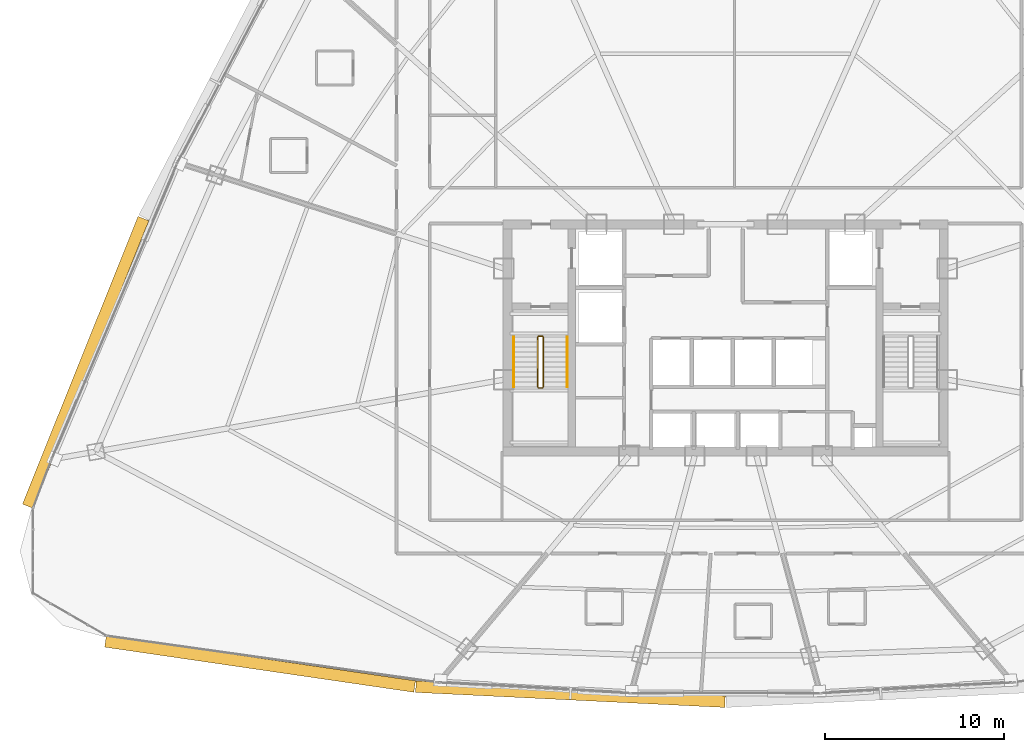
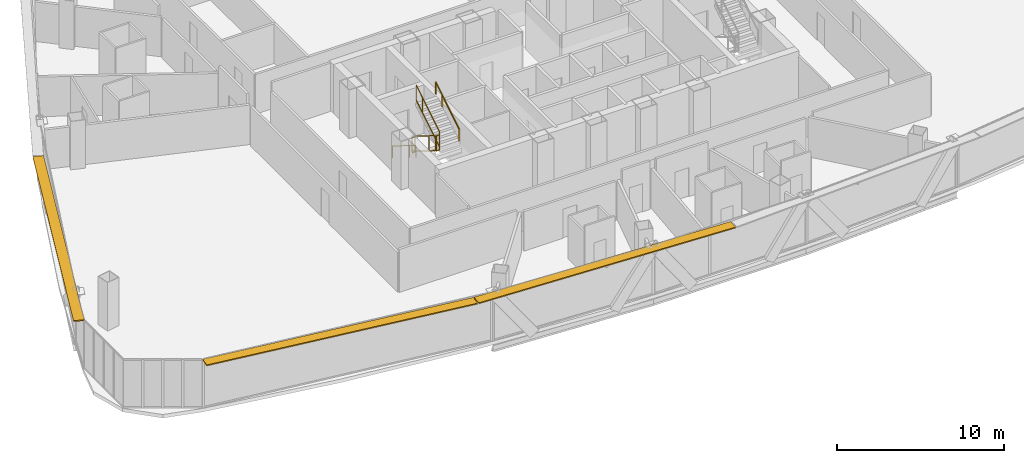
# One storey, part 37 of 40: 6 railings, 3 shading devices.
"""IFC4 building model written with IfcOpenShell, lengths in metres."""

from ifc_helpers import new_model, si_unit, direction, frame, origin, origin_2d, place, context, subcontext, project, spatial, rectangle, extrude, source, transform, mapped, material, layer, layer_set, type_object, element, save


model = new_model("IFC4")

# Units and contexts
model_context = context("Model", 3, precision=1e-05, world=origin(), true_north=direction((0.0, 1.0)))
body_context = subcontext(model_context, "Body", "Model", "MODEL_VIEW")
ifc_project = project(units=[si_unit("LENGTHUNIT", "METRE"), si_unit("AREAUNIT", "SQUARE_METRE"), si_unit("VOLUMEUNIT", "CUBIC_METRE"), si_unit("PLANEANGLEUNIT", "RADIAN"), si_unit("MASSUNIT", "GRAM", prefix="KILO"), si_unit("THERMODYNAMICTEMPERATUREUNIT", "KELVIN"), si_unit("POWERUNIT", "WATT")], contexts=[model_context])

# Site, building, storey
site_placement = place(None, origin())
site = spatial("IfcSite", under=ifc_project, at=site_placement, CompositionType="ELEMENT")
building_placement = place(site_placement, origin())
building = spatial("IfcBuilding", under=site, at=building_placement, Name="Yunzhuo Pagoda Commons", CompositionType="ELEMENT")
storey_placement = place(building_placement, frame((0.0, 0.0, 188.56005859375)))
storey = spatial("IfcBuildingStorey", under=building, at=storey_placement, Name="L47", CompositionType="ELEMENT", Elevation=188.56005859375)

# Railings
ifc_material = material(Name="Anodized aluminium 6063-T6", Category="aluminium")
railing_type_1 = type_object("IfcRailingType", Name="GR-ST1 Stair Well Guardrail 1150", PredefinedType="GUARDRAIL", material=ifc_material)
railing_1_placement = place(storey_placement, frame((37.5, 33.89990234375, 0.172607421875)))
element("IfcRailing", 1, at=railing_1_placement, inside=storey, type_object=railing_type_1, Name="L47 ST1 stair guard 1", PredefinedType="GUARDRAIL", context=body_context, shape_type="SweptSolid", body=[
    extrude(rectangle(XDim=0.048095703125, YDim=0.048095703125, at=origin_2d()), frame((0.0, 0.0, 1.1259765625), z_axis=(0.0, -0.851069175582, 0.525053576669), x_axis=(1.0, 0.0, 0.0)), (0.0, 0.0, 1.0), 3.289794921875),
    extrude(rectangle(XDim=0.048095703125, YDim=0.048095703125, at=origin_2d()), frame((0.0, 0.0, 0.02392578125), z_axis=(0.0, -0.851069175582, 0.525053576669), x_axis=(1.0, 0.0, 0.0)), (0.0, 0.0, 1.0), 3.289794921875),
    extrude(rectangle(XDim=0.0419921875, YDim=0.0419921875, at=origin_2d()), origin(), (0.0, 0.0, 1.0), 1.101806640625),
    extrude(rectangle(XDim=0.0419921875, YDim=0.0419921875, at=origin_2d()), frame((0.0, -2.04248046875, 1.260009765625)), (0.0, 0.0, 1.0), 1.101806640625),
    extrude(rectangle(XDim=0.0419921875, YDim=0.0419921875, at=origin_2d()), frame((0.0, -2.7998046875, 1.727294921875)), (0.0, 0.0, 1.0), 1.101806640625),
])
railing_2_placement = place(storey_placement, frame((37.550048828125, 31.050048828125, 1.89990234375)))
element("IfcRailing", 2, at=railing_2_placement, inside=storey, type_object=railing_type_1, Name="L47 ST1 stair guard 2", PredefinedType="GUARDRAIL", context=body_context, shape_type="SweptSolid", body=[
    extrude(rectangle(XDim=0.048095703125, YDim=0.048095703125, at=origin_2d()), frame((0.0, 0.0, 1.1259765625), z_axis=(1.0, 0.0, 0.0), x_axis=(0.0, 1.0, 0.0)), (0.0, 0.0, 1.0), 0.199951171875),
    extrude(rectangle(XDim=0.048095703125, YDim=0.048095703125, at=origin_2d()), frame((0.0, 0.0, 0.02392578125), z_axis=(1.0, 0.0, 0.0), x_axis=(0.0, 1.0, 0.0)), (0.0, 0.0, 1.0), 0.199951171875),
    extrude(rectangle(XDim=0.0419921875, YDim=0.0419921875, at=origin_2d()), origin(), (0.0, 0.0, 1.0), 1.101806640625),
    extrude(rectangle(XDim=0.0419921875, YDim=0.0419921875, at=origin_2d()), frame((0.199951171875, 0.0, 0.0)), (0.0, 0.0, 1.0), 1.101806640625),
])
railing_3_placement = place(storey_placement, frame((37.800048828125, 31.10009765625, 2.07275390625)))
element("IfcRailing", 3, at=railing_3_placement, inside=storey, type_object=railing_type_1, Name="L47 ST1 stair guard 3", PredefinedType="GUARDRAIL", context=body_context, shape_type="SweptSolid", body=[
    extrude(rectangle(XDim=0.048095703125, YDim=0.048095703125, at=origin_2d()), frame((0.0, 0.0, 1.1259765625), z_axis=(0.0, 0.851069175582, 0.525053576669), x_axis=(-1.0, 0.0, 0.0)), (0.0, 0.0, 1.0), 3.289794921875),
    extrude(rectangle(XDim=0.048095703125, YDim=0.048095703125, at=origin_2d()), frame((0.0, 0.0, 0.02392578125), z_axis=(0.0, 0.851069175582, 0.525053576669), x_axis=(-1.0, 0.0, 0.0)), (0.0, 0.0, 1.0), 3.289794921875),
    extrude(rectangle(XDim=0.0419921875, YDim=0.0419921875, at=origin_2d()), origin(), (0.0, 0.0, 1.0), 1.101806640625),
    extrude(rectangle(XDim=0.0419921875, YDim=0.0419921875, at=origin_2d()), frame((0.0, 2.04248046875, 1.260009765625)), (0.0, 0.0, 1.0), 1.101806640625),
    extrude(rectangle(XDim=0.0419921875, YDim=0.0419921875, at=origin_2d()), frame((0.0, 2.7998046875, 1.727294921875)), (0.0, 0.0, 1.0), 1.101806640625),
])
railing_4_placement = place(storey_placement, frame((37.550048828125, 33.949951171875, 0.0)))
element("IfcRailing", 4, at=railing_4_placement, inside=storey, type_object=railing_type_1, Name="L47 ST1 stair guard 4", PredefinedType="GUARDRAIL", context=body_context, shape_type="SweptSolid", body=[
    extrude(rectangle(XDim=0.048095703125, YDim=0.048095703125, at=origin_2d()), frame((0.0, 0.0, 1.1259765625), z_axis=(1.0, 0.0, 0.0), x_axis=(0.0, 1.0, 0.0)), (0.0, 0.0, 1.0), 0.199951171875),
    extrude(rectangle(XDim=0.048095703125, YDim=0.048095703125, at=origin_2d()), frame((0.0, 0.0, 0.02392578125), z_axis=(1.0, 0.0, 0.0), x_axis=(0.0, 1.0, 0.0)), (0.0, 0.0, 1.0), 0.199951171875),
    extrude(rectangle(XDim=0.0419921875, YDim=0.0419921875, at=origin_2d()), origin(), (0.0, 0.0, 1.0), 1.101806640625),
    extrude(rectangle(XDim=0.0419921875, YDim=0.0419921875, at=origin_2d()), frame((0.199951171875, 0.0, 0.0)), (0.0, 0.0, 1.0), 1.101806640625),
])
railing_type_2 = type_object("IfcRailingType", Name="HR-ST1 Stair Handrail 900", PredefinedType="HANDRAIL", material=ifc_material)
railing_5_placement = place(storey_placement, frame((36.14990234375, 33.89990234375, 0.172607421875)))
element("IfcRailing", 5, at=railing_5_placement, inside=storey, type_object=railing_type_2, Name="L47 ST1 stair handrail 1", PredefinedType="HANDRAIL", context=body_context, shape_type="SweptSolid", body=[
    extrude(rectangle(XDim=0.048095703125, YDim=0.048095703125, at=origin_2d()), frame((0.0, 0.0, 0.8759765625), z_axis=(0.0, -0.851069175582, 0.525053576669), x_axis=(1.0, 0.0, 0.0)), (0.0, 0.0, 1.0), 3.289794921875),
    extrude(rectangle(XDim=0.0419921875, YDim=0.0419921875, at=origin_2d()), origin(), (0.0, 0.0, 1.0), 0.851806640625),
    extrude(rectangle(XDim=0.0419921875, YDim=0.0419921875, at=origin_2d()), frame((0.0, -2.04248046875, 1.260009765625)), (0.0, 0.0, 1.0), 0.851806640625),
    extrude(rectangle(XDim=0.0419921875, YDim=0.0419921875, at=origin_2d()), frame((0.0, -2.7998046875, 1.727294921875)), (0.0, 0.0, 1.0), 0.851806640625),
])
railing_6_placement = place(storey_placement, frame((39.14990234375, 31.10009765625, 2.07275390625)))
element("IfcRailing", 6, at=railing_6_placement, inside=storey, type_object=railing_type_2, Name="L47 ST1 stair handrail 2", PredefinedType="HANDRAIL", context=body_context, shape_type="SweptSolid", body=[
    extrude(rectangle(XDim=0.048095703125, YDim=0.048095703125, at=origin_2d()), frame((0.0, 0.0, 0.8759765625), z_axis=(0.0, 0.851069175582, 0.525053576669), x_axis=(-1.0, 0.0, 0.0)), (0.0, 0.0, 1.0), 3.289794921875),
    extrude(rectangle(XDim=0.0419921875, YDim=0.0419921875, at=origin_2d()), origin(), (0.0, 0.0, 1.0), 0.851806640625),
    extrude(rectangle(XDim=0.0419921875, YDim=0.0419921875, at=origin_2d()), frame((0.0, 2.04248046875, 1.260009765625)), (0.0, 0.0, 1.0), 0.851806640625),
    extrude(rectangle(XDim=0.0419921875, YDim=0.0419921875, at=origin_2d()), frame((0.0, 2.7998046875, 1.727294921875)), (0.0, 0.0, 1.0), 0.851806640625),
])

# Shading devices
ifc_layer = layer(ifc_material, 0.080078125)
ifc_layer_set = layer_set([ifc_layer], Name="Anodized aluminium 6063-T6")
shading_device_type = type_object("IfcShadingDeviceType", Name="SH-SUN1 Pagoda Horizontal Sunshade Eave 650", PredefinedType="USERDEFINED", material=ifc_layer_set)
shared_shape_1 = source(origin(), body_context, "Body", "SweptSolid", [
    extrude(rectangle(XDim=17.475830078125, YDim=0.64990234375, at=origin_2d()), origin(), (0.0, 0.0, 1.0), 0.080078125),
])
shading_device_1_placement = place(storey_placement, frame((21.967041015625, 15.615478515625, 3.4599609375), z_axis=(0.0, 0.0, 1.0), x_axis=(0.989510666697, -0.144459823108, 0.0)))
element("IfcShadingDevice", 7, at=shading_device_1_placement, inside=storey, type_object=shading_device_type, Name="L47 horizontal pagoda sunshade eave F1.1", ObjectType="SUNSHADE", PredefinedType="USERDEFINED", context=body_context, shape_type="MappedRepresentation", body=[
    mapped(shared_shape_1, transform((0.0, 0.0, 0.0), scale=1.0)),
])
shared_shape_2 = source(origin(), body_context, "Body", "SweptSolid", [
    extrude(rectangle(XDim=17.312744140625, YDim=0.64990234375, at=origin_2d()), origin(), (0.0, 0.0, 1.0), 0.080078125),
])
shading_device_2_placement = place(storey_placement, frame((39.322265625, 13.926513671875, 3.4599609375), z_axis=(0.0, 0.0, 1.0), x_axis=(0.998818043775, -0.04860571396, 0.0)))
element("IfcShadingDevice", 8, at=shading_device_2_placement, inside=storey, type_object=shading_device_type, Name="L47 horizontal pagoda sunshade eave F1.2", ObjectType="SUNSHADE", PredefinedType="USERDEFINED", context=body_context, shape_type="MappedRepresentation", body=[
    mapped(shared_shape_2, transform((0.0, 0.0, 0.0), scale=1.0)),
])
shared_shape_3 = source(origin(), body_context, "Body", "SweptSolid", [
    extrude(rectangle(XDim=17.335205078125, YDim=0.64990234375, at=origin_2d()), origin(), (0.0, 0.0, 1.0), 0.080078125),
])
shading_device_3_placement = place(storey_placement, frame((12.213134765625, 32.4794921875, 3.4599609375), z_axis=(0.0, 0.0, 1.0), x_axis=(-0.372987782576, -0.927836253899, 0.0)))
element("IfcShadingDevice", 9, at=shading_device_3_placement, inside=storey, type_object=shading_device_type, Name="L47 horizontal pagoda sunshade eave F3.4", ObjectType="SUNSHADE", PredefinedType="USERDEFINED", context=body_context, shape_type="MappedRepresentation", body=[
    mapped(shared_shape_3, transform((0.0, 0.0, 0.0), scale=1.0)),
])

save(model, "model.ifc")
